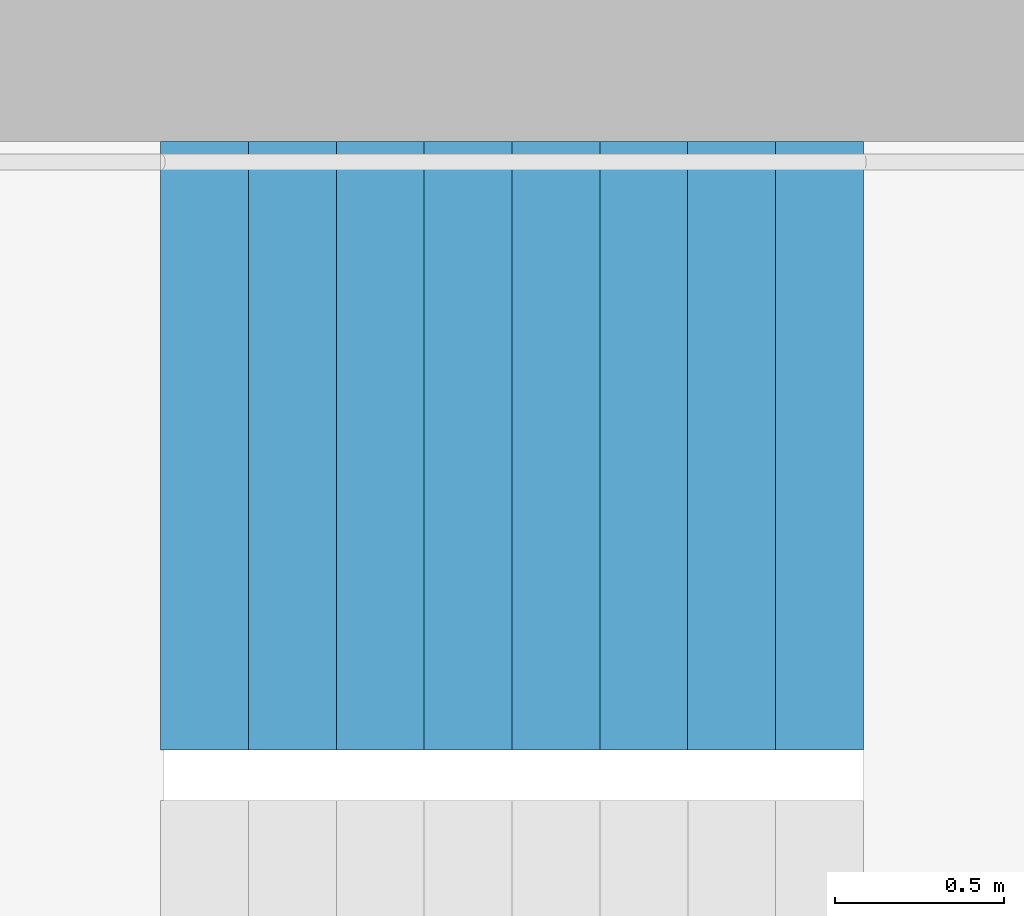
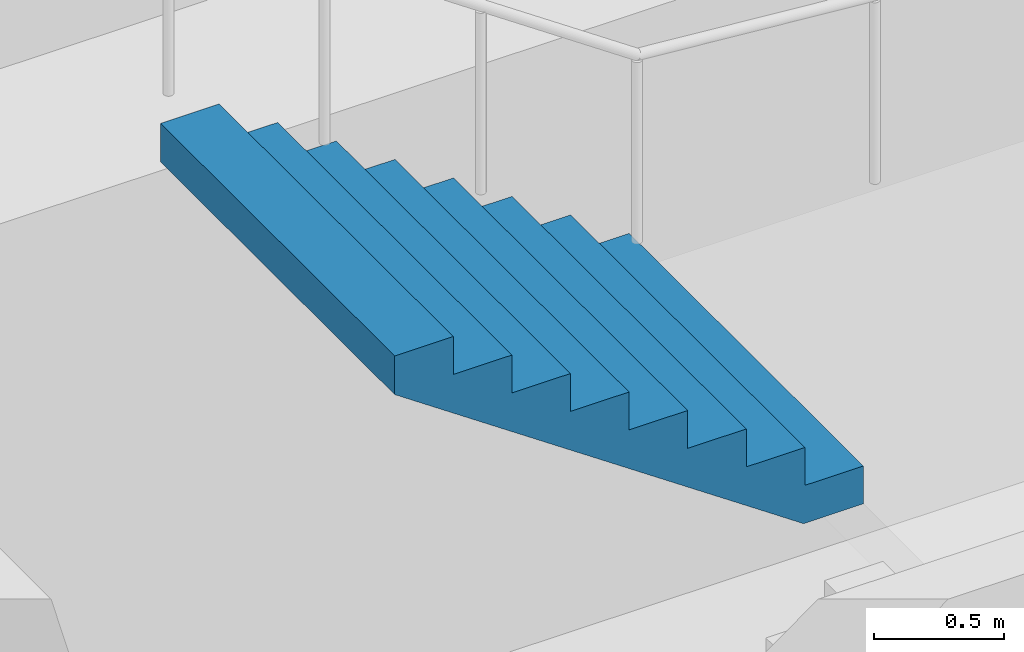
# One storey, part 23 of 34: 1 stair flight, 1 element without a shape of its own.
"""IFC4 building model written with IfcOpenShell, lengths in metres."""

from ifc_helpers import new_model, si_unit, direction, frame, origin, place, context, subcontext, project, spatial, triangles, material, type_object, element, aggregate, save


model = new_model("IFC4")

# Units and contexts
model_context = context("Model", 3, precision=1e-05, world=origin(), true_north=direction((0.0, 1.0)))
body_context = subcontext(model_context, "Body", "Model", "MODEL_VIEW")
ifc_project = project(units=[si_unit("LENGTHUNIT", "METRE"), si_unit("AREAUNIT", "SQUARE_METRE"), si_unit("VOLUMEUNIT", "CUBIC_METRE"), si_unit("PLANEANGLEUNIT", "RADIAN"), si_unit("MASSUNIT", "GRAM", prefix="KILO")], contexts=[model_context])

# Site, building, storey
site_placement = place(None, origin())
site = spatial("IfcSite", under=ifc_project, at=site_placement, CompositionType="ELEMENT")
building_placement = place(site_placement, origin())
building = spatial("IfcBuilding", under=site, at=building_placement, Name="Hakoniwa Tower and Hamabe Station Hall", CompositionType="ELEMENT")
storey_placement = place(building_placement, frame((0.0, 0.0, 107.39990234375)))
storey = spatial("IfcBuildingStorey", under=building, at=storey_placement, Name="L30", CompositionType="ELEMENT", Elevation=107.39990234375)

# Stair, stair flight
ifc_material_1 = material(Name="Concrete C40", Category="concrete")
stair_type = type_object("IfcStairType", Name="ESCAPE STAIR 1800", PredefinedType="HALF_TURN_STAIR", material=ifc_material_1)
stair_placement = place(storey_placement, origin())
stair = element("IfcStair", 1, at=stair_placement, inside=storey, type_object=stair_type, Name="Escape stair ST-1 L30", PredefinedType="HALF_TURN_STAIR")
ifc_material_2 = material(Name="Concrete C40", Category="concrete")
stair_flight_type = type_object("IfcStairFlightType", Name="STAIR FLIGHT 1800", PredefinedType="STRAIGHT", material=ifc_material_2)
stair_flight_placement = place(storey_placement, frame((-22.320068359375, 6.60009765625, 1.60009765625), z_axis=(0.0, 0.0, 1.0), x_axis=(-1.0, 0.0, 0.0)))
stair_flight = element("IfcStairFlight", 2, at=stair_flight_placement, type_object=stair_flight_type, Name="ST-1 flight 2", NumberOfRisers=9, NumberOfTreads=8, PredefinedType="STRAIGHT", RiserHeight=0.177777778, TreadLength=0.26, context=body_context, shape_type="Tessellation", body=[
    triangles([(0.0, 0.89990234375, 0.0), (0.260009765625, 0.89990234375, 0.0), (0.265625, 0.89990234375, 0.0), (0.52001953125, 0.89990234375, 0.174072265625), (0.780029296875, 0.89990234375, 0.351806640625), (1.0400390625, 0.89990234375, 0.529541015625), (1.300048828125, 0.89990234375, 0.707275390625), (1.56005859375, 0.89990234375, 0.885009765625), (1.820068359375, 0.89990234375, 1.062744140625), (2.080078125, 0.89990234375, 1.24072265625), (2.080078125, 0.89990234375, 1.422119140625), (1.820068359375, 0.89990234375, 1.422119140625), (1.820068359375, 0.89990234375, 1.244384765625), (1.56005859375, 0.89990234375, 1.244384765625), (1.56005859375, 0.89990234375, 1.066650390625), (1.300048828125, 0.89990234375, 1.066650390625), (1.300048828125, 0.89990234375, 0.888916015625), (1.0400390625, 0.89990234375, 0.888916015625), (1.0400390625, 0.89990234375, 0.711181640625), (0.780029296875, 0.89990234375, 0.711181640625), (0.780029296875, 0.89990234375, 0.533447265625), (0.52001953125, 0.89990234375, 0.533447265625), (0.52001953125, 0.89990234375, 0.35546875), (0.265625, 0.89990234375, 0.35546875), (0.260009765625, 0.89990234375, 0.35546875), (0.260009765625, 0.89990234375, 0.177734375), (0.0, 0.89990234375, 0.177734375), (0.0, 0.06005859375, 0.0), (0.260009765625, 0.06005859375, 0.0), (0.265625, 0.06005859375, 0.0), (0.52001953125, 0.06005859375, 0.174072265625), (0.780029296875, 0.06005859375, 0.351806640625), (1.0400390625, 0.06005859375, 0.529541015625), (1.300048828125, 0.06005859375, 0.707275390625), (1.56005859375, 0.06005859375, 0.885009765625), (1.820068359375, 0.06005859375, 1.062744140625), (2.080078125, 0.06005859375, 1.24072265625), (2.080078125, 0.06005859375, 1.422119140625), (1.820068359375, 0.06005859375, 1.422119140625), (1.820068359375, 0.06005859375, 1.244384765625), (1.56005859375, 0.06005859375, 1.244384765625), (1.56005859375, 0.06005859375, 1.066650390625), (1.300048828125, 0.06005859375, 1.066650390625), (1.300048828125, 0.06005859375, 0.888916015625), (1.0400390625, 0.06005859375, 0.888916015625), (1.0400390625, 0.06005859375, 0.711181640625), (0.780029296875, 0.06005859375, 0.711181640625), (0.780029296875, 0.06005859375, 0.533447265625), (0.52001953125, 0.06005859375, 0.533447265625), (0.52001953125, 0.06005859375, 0.35546875), (0.265625, 0.06005859375, 0.35546875), (0.260009765625, 0.06005859375, 0.35546875), (0.260009765625, 0.06005859375, 0.177734375), (0.0, 0.06005859375, 0.177734375), (0.0, 0.04296875, 0.0), (0.260009765625, 0.04296875, 0.0), (0.265625, 0.04296875, 0.0), (0.52001953125, 0.04296875, 0.174072265625), (0.780029296875, 0.04296875, 0.351806640625), (1.0400390625, 0.04296875, 0.529541015625), (1.300048828125, 0.04296875, 0.707275390625), (1.56005859375, 0.04296875, 0.885009765625), (1.820068359375, 0.04296875, 1.062744140625), (2.080078125, 0.04296875, 1.24072265625), (2.080078125, 0.04296875, 1.422119140625), (1.820068359375, 0.04296875, 1.422119140625), (1.820068359375, 0.04296875, 1.244384765625), (1.56005859375, 0.04296875, 1.244384765625), (1.56005859375, 0.04296875, 1.066650390625), (1.300048828125, 0.04296875, 1.066650390625), (1.300048828125, 0.04296875, 0.888916015625), (1.0400390625, 0.04296875, 0.888916015625), (1.0400390625, 0.04296875, 0.711181640625), (0.780029296875, 0.04296875, 0.711181640625), (0.780029296875, 0.04296875, 0.533447265625), (0.52001953125, 0.04296875, 0.533447265625), (0.52001953125, 0.04296875, 0.35546875), (0.265625, 0.04296875, 0.35546875), (0.260009765625, 0.04296875, 0.35546875), (0.260009765625, 0.04296875, 0.177734375), (0.0, 0.04296875, 0.177734375), (0.0, 0.025634765625, 0.0), (0.260009765625, 0.025634765625, 0.0), (0.265625, 0.025634765625, 0.0), (0.52001953125, 0.025634765625, 0.174072265625), (0.780029296875, 0.025634765625, 0.351806640625), (1.0400390625, 0.025634765625, 0.529541015625), (1.300048828125, 0.025634765625, 0.707275390625), (1.56005859375, 0.025634765625, 0.885009765625), (1.820068359375, 0.025634765625, 1.062744140625), (2.080078125, 0.025634765625, 1.24072265625), (2.080078125, 0.025634765625, 1.422119140625), (1.820068359375, 0.025634765625, 1.422119140625), (1.820068359375, 0.025634765625, 1.244384765625), (1.56005859375, 0.025634765625, 1.244384765625), (1.56005859375, 0.025634765625, 1.066650390625), (1.300048828125, 0.025634765625, 1.066650390625), (1.300048828125, 0.025634765625, 0.888916015625), (1.0400390625, 0.025634765625, 0.888916015625), (1.0400390625, 0.025634765625, 0.711181640625), (0.780029296875, 0.025634765625, 0.711181640625), (0.780029296875, 0.025634765625, 0.533447265625), (0.52001953125, 0.025634765625, 0.533447265625), (0.52001953125, 0.025634765625, 0.35546875), (0.265625, 0.025634765625, 0.35546875), (0.260009765625, 0.025634765625, 0.35546875), (0.260009765625, 0.025634765625, 0.177734375), (0.0, 0.025634765625, 0.177734375), (0.0, 0.008544921875, 0.0), (0.260009765625, 0.008544921875, 0.0), (0.265625, 0.008544921875, 0.0), (0.52001953125, 0.008544921875, 0.174072265625), (0.780029296875, 0.008544921875, 0.351806640625), (1.0400390625, 0.008544921875, 0.529541015625), (1.300048828125, 0.008544921875, 0.707275390625), (1.56005859375, 0.008544921875, 0.885009765625), (1.820068359375, 0.008544921875, 1.062744140625), (2.080078125, 0.008544921875, 1.24072265625), (2.080078125, 0.008544921875, 1.422119140625), (1.820068359375, 0.008544921875, 1.422119140625), (1.820068359375, 0.008544921875, 1.244384765625), (1.56005859375, 0.008544921875, 1.244384765625), (1.56005859375, 0.008544921875, 1.066650390625), (1.300048828125, 0.008544921875, 1.066650390625), (1.300048828125, 0.008544921875, 0.888916015625), (1.0400390625, 0.008544921875, 0.888916015625), (1.0400390625, 0.008544921875, 0.711181640625), (0.780029296875, 0.008544921875, 0.711181640625), (0.780029296875, 0.008544921875, 0.533447265625), (0.52001953125, 0.008544921875, 0.533447265625), (0.52001953125, 0.008544921875, 0.35546875), (0.265625, 0.008544921875, 0.35546875), (0.260009765625, 0.008544921875, 0.35546875), (0.260009765625, 0.008544921875, 0.177734375), (0.0, 0.008544921875, 0.177734375), (0.0, -0.008544921875, 0.0), (0.260009765625, -0.008544921875, 0.0), (0.265625, -0.008544921875, 0.0), (0.52001953125, -0.008544921875, 0.174072265625), (0.780029296875, -0.008544921875, 0.351806640625), (1.0400390625, -0.008544921875, 0.529541015625), (1.300048828125, -0.008544921875, 0.707275390625), (1.56005859375, -0.008544921875, 0.885009765625), (1.820068359375, -0.008544921875, 1.062744140625), (2.080078125, -0.008544921875, 1.24072265625), (2.080078125, -0.008544921875, 1.422119140625), (1.820068359375, -0.008544921875, 1.422119140625), (1.820068359375, -0.008544921875, 1.244384765625), (1.56005859375, -0.008544921875, 1.244384765625), (1.56005859375, -0.008544921875, 1.066650390625), (1.300048828125, -0.008544921875, 1.066650390625), (1.300048828125, -0.008544921875, 0.888916015625), (1.0400390625, -0.008544921875, 0.888916015625), (1.0400390625, -0.008544921875, 0.711181640625), (0.780029296875, -0.008544921875, 0.711181640625), (0.780029296875, -0.008544921875, 0.533447265625), (0.52001953125, -0.008544921875, 0.533447265625), (0.52001953125, -0.008544921875, 0.35546875), (0.265625, -0.008544921875, 0.35546875), (0.260009765625, -0.008544921875, 0.35546875), (0.260009765625, -0.008544921875, 0.177734375), (0.0, -0.008544921875, 0.177734375), (0.0, -0.025634765625, 0.0), (0.260009765625, -0.025634765625, 0.0), (0.265625, -0.025634765625, 0.0), (0.52001953125, -0.025634765625, 0.174072265625), (0.780029296875, -0.025634765625, 0.351806640625), (1.0400390625, -0.025634765625, 0.529541015625), (1.300048828125, -0.025634765625, 0.707275390625), (1.56005859375, -0.025634765625, 0.885009765625), (1.820068359375, -0.025634765625, 1.062744140625), (2.080078125, -0.025634765625, 1.24072265625), (2.080078125, -0.025634765625, 1.422119140625), (1.820068359375, -0.025634765625, 1.422119140625), (1.820068359375, -0.025634765625, 1.244384765625), (1.56005859375, -0.025634765625, 1.244384765625), (1.56005859375, -0.025634765625, 1.066650390625), (1.300048828125, -0.025634765625, 1.066650390625), (1.300048828125, -0.025634765625, 0.888916015625), (1.0400390625, -0.025634765625, 0.888916015625), (1.0400390625, -0.025634765625, 0.711181640625), (0.780029296875, -0.025634765625, 0.711181640625), (0.780029296875, -0.025634765625, 0.533447265625), (0.52001953125, -0.025634765625, 0.533447265625), (0.52001953125, -0.025634765625, 0.35546875), (0.265625, -0.025634765625, 0.35546875), (0.260009765625, -0.025634765625, 0.35546875), (0.260009765625, -0.025634765625, 0.177734375), (0.0, -0.025634765625, 0.177734375), (0.0, -0.04296875, 0.0), (0.260009765625, -0.04296875, 0.0), (0.265625, -0.04296875, 0.0), (0.52001953125, -0.04296875, 0.174072265625), (0.780029296875, -0.04296875, 0.351806640625), (1.0400390625, -0.04296875, 0.529541015625), (1.300048828125, -0.04296875, 0.707275390625), (1.56005859375, -0.04296875, 0.885009765625), (1.820068359375, -0.04296875, 1.062744140625), (2.080078125, -0.04296875, 1.24072265625), (2.080078125, -0.04296875, 1.422119140625), (1.820068359375, -0.04296875, 1.422119140625), (1.820068359375, -0.04296875, 1.244384765625), (1.56005859375, -0.04296875, 1.244384765625), (1.56005859375, -0.04296875, 1.066650390625), (1.300048828125, -0.04296875, 1.066650390625), (1.300048828125, -0.04296875, 0.888916015625), (1.0400390625, -0.04296875, 0.888916015625), (1.0400390625, -0.04296875, 0.711181640625), (0.780029296875, -0.04296875, 0.711181640625), (0.780029296875, -0.04296875, 0.533447265625), (0.52001953125, -0.04296875, 0.533447265625), (0.52001953125, -0.04296875, 0.35546875), (0.265625, -0.04296875, 0.35546875), (0.260009765625, -0.04296875, 0.35546875), (0.260009765625, -0.04296875, 0.177734375), (0.0, -0.04296875, 0.177734375), (0.0, -0.06005859375, 0.0), (0.260009765625, -0.06005859375, 0.0), (0.265625, -0.06005859375, 0.0), (0.52001953125, -0.06005859375, 0.174072265625), (0.780029296875, -0.06005859375, 0.351806640625), (1.0400390625, -0.06005859375, 0.529541015625), (1.300048828125, -0.06005859375, 0.707275390625), (1.56005859375, -0.06005859375, 0.885009765625), (1.820068359375, -0.06005859375, 1.062744140625), (2.080078125, -0.06005859375, 1.24072265625), (2.080078125, -0.06005859375, 1.422119140625), (1.820068359375, -0.06005859375, 1.422119140625), (1.820068359375, -0.06005859375, 1.244384765625), (1.56005859375, -0.06005859375, 1.244384765625), (1.56005859375, -0.06005859375, 1.066650390625), (1.300048828125, -0.06005859375, 1.066650390625), (1.300048828125, -0.06005859375, 0.888916015625), (1.0400390625, -0.06005859375, 0.888916015625), (1.0400390625, -0.06005859375, 0.711181640625), (0.780029296875, -0.06005859375, 0.711181640625), (0.780029296875, -0.06005859375, 0.533447265625), (0.52001953125, -0.06005859375, 0.533447265625), (0.52001953125, -0.06005859375, 0.35546875), (0.265625, -0.06005859375, 0.35546875), (0.260009765625, -0.06005859375, 0.35546875), (0.260009765625, -0.06005859375, 0.177734375), (0.0, -0.06005859375, 0.177734375), (0.0, -0.89990234375, 0.0), (0.260009765625, -0.89990234375, 0.0), (0.265625, -0.89990234375, 0.0), (0.52001953125, -0.89990234375, 0.174072265625), (0.780029296875, -0.89990234375, 0.351806640625), (1.0400390625, -0.89990234375, 0.529541015625), (1.300048828125, -0.89990234375, 0.707275390625), (1.56005859375, -0.89990234375, 0.885009765625), (1.820068359375, -0.89990234375, 1.062744140625), (2.080078125, -0.89990234375, 1.24072265625), (2.080078125, -0.89990234375, 1.422119140625), (1.820068359375, -0.89990234375, 1.422119140625), (1.820068359375, -0.89990234375, 1.244384765625), (1.56005859375, -0.89990234375, 1.244384765625), (1.56005859375, -0.89990234375, 1.066650390625), (1.300048828125, -0.89990234375, 1.066650390625), (1.300048828125, -0.89990234375, 0.888916015625), (1.0400390625, -0.89990234375, 0.888916015625), (1.0400390625, -0.89990234375, 0.711181640625), (0.780029296875, -0.89990234375, 0.711181640625), (0.780029296875, -0.89990234375, 0.533447265625), (0.52001953125, -0.89990234375, 0.533447265625), (0.52001953125, -0.89990234375, 0.35546875), (0.265625, -0.89990234375, 0.35546875), (0.260009765625, -0.89990234375, 0.35546875), (0.260009765625, -0.89990234375, 0.177734375), (0.0, -0.89990234375, 0.177734375)], [[2, 27, 26], [245, 269, 270], [2, 1, 27], [245, 270, 244], [3, 25, 24], [246, 267, 268], [3, 26, 25], [246, 268, 269], [3, 2, 26], [246, 269, 245], [4, 24, 23], [247, 266, 267], [4, 3, 24], [247, 267, 246], [5, 22, 21], [248, 264, 265], [5, 23, 22], [248, 265, 266], [5, 4, 23], [248, 266, 247], [6, 20, 19], [249, 262, 263], [6, 21, 20], [249, 263, 264], [6, 5, 21], [249, 264, 248], [7, 18, 17], [250, 260, 261], [7, 19, 18], [250, 261, 262], [7, 6, 19], [250, 262, 249], [8, 16, 15], [251, 258, 259], [8, 17, 16], [251, 259, 260], [8, 7, 17], [251, 260, 250], [9, 14, 13], [252, 256, 257], [9, 15, 14], [252, 257, 258], [9, 8, 15], [252, 258, 251], [10, 12, 11], [253, 254, 255], [10, 13, 12], [253, 255, 256], [10, 9, 13], [253, 256, 252], [1, 2, 29], [1, 29, 28], [28, 29, 56], [28, 56, 55], [55, 56, 83], [55, 83, 82], [82, 83, 110], [82, 110, 109], [109, 110, 137], [109, 137, 136], [136, 137, 164], [136, 164, 163], [163, 164, 191], [163, 191, 190], [190, 191, 218], [190, 218, 217], [217, 218, 245], [217, 245, 244], [2, 3, 30], [2, 30, 29], [29, 30, 57], [29, 57, 56], [56, 57, 84], [56, 84, 83], [83, 84, 111], [83, 111, 110], [110, 111, 138], [110, 138, 137], [137, 138, 165], [137, 165, 164], [164, 165, 192], [164, 192, 191], [191, 192, 219], [191, 219, 218], [218, 219, 246], [218, 246, 245], [3, 4, 31], [3, 31, 30], [30, 31, 58], [30, 58, 57], [57, 58, 85], [57, 85, 84], [84, 85, 112], [84, 112, 111], [111, 112, 139], [111, 139, 138], [138, 139, 166], [138, 166, 165], [165, 166, 193], [165, 193, 192], [192, 193, 220], [192, 220, 219], [219, 220, 247], [219, 247, 246], [4, 5, 32], [4, 32, 31], [31, 32, 59], [31, 59, 58], [58, 59, 86], [58, 86, 85], [85, 86, 113], [85, 113, 112], [112, 113, 140], [112, 140, 139], [139, 140, 167], [139, 167, 166], [166, 167, 194], [166, 194, 193], [193, 194, 221], [193, 221, 220], [220, 221, 248], [220, 248, 247], [5, 6, 33], [5, 33, 32], [32, 33, 60], [32, 60, 59], [59, 60, 87], [59, 87, 86], [86, 87, 114], [86, 114, 113], [113, 114, 141], [113, 141, 140], [140, 141, 168], [140, 168, 167], [167, 168, 195], [167, 195, 194], [194, 195, 222], [194, 222, 221], [221, 222, 249], [221, 249, 248], [6, 7, 34], [6, 34, 33], [33, 34, 61], [33, 61, 60], [60, 61, 88], [60, 88, 87], [87, 88, 115], [87, 115, 114], [114, 115, 142], [114, 142, 141], [141, 142, 169], [141, 169, 168], [168, 169, 196], [168, 196, 195], [195, 196, 223], [195, 223, 222], [222, 223, 250], [222, 250, 249], [7, 8, 35], [7, 35, 34], [34, 35, 62], [34, 62, 61], [61, 62, 89], [61, 89, 88], [88, 89, 116], [88, 116, 115], [115, 116, 143], [115, 143, 142], [142, 143, 170], [142, 170, 169], [169, 170, 197], [169, 197, 196], [196, 197, 224], [196, 224, 223], [223, 224, 251], [223, 251, 250], [8, 9, 36], [8, 36, 35], [35, 36, 63], [35, 63, 62], [62, 63, 90], [62, 90, 89], [89, 90, 117], [89, 117, 116], [116, 117, 144], [116, 144, 143], [143, 144, 171], [143, 171, 170], [170, 171, 198], [170, 198, 197], [197, 198, 225], [197, 225, 224], [224, 225, 252], [224, 252, 251], [9, 10, 37], [9, 37, 36], [36, 37, 64], [36, 64, 63], [63, 64, 91], [63, 91, 90], [90, 91, 118], [90, 118, 117], [117, 118, 145], [117, 145, 144], [144, 145, 172], [144, 172, 171], [171, 172, 199], [171, 199, 198], [198, 199, 226], [198, 226, 225], [225, 226, 253], [225, 253, 252], [10, 11, 38], [10, 38, 37], [37, 38, 65], [37, 65, 64], [64, 65, 92], [64, 92, 91], [91, 92, 119], [91, 119, 118], [118, 119, 146], [118, 146, 145], [145, 146, 173], [145, 173, 172], [172, 173, 200], [172, 200, 199], [199, 200, 227], [199, 227, 226], [226, 227, 254], [226, 254, 253], [11, 12, 39], [11, 39, 38], [38, 39, 66], [38, 66, 65], [65, 66, 93], [65, 93, 92], [92, 93, 120], [92, 120, 119], [119, 120, 147], [119, 147, 146], [146, 147, 174], [146, 174, 173], [173, 174, 201], [173, 201, 200], [200, 201, 228], [200, 228, 227], [227, 228, 255], [227, 255, 254], [12, 13, 40], [12, 40, 39], [39, 40, 67], [39, 67, 66], [66, 67, 94], [66, 94, 93], [93, 94, 121], [93, 121, 120], [120, 121, 148], [120, 148, 147], [147, 148, 175], [147, 175, 174], [174, 175, 202], [174, 202, 201], [201, 202, 229], [201, 229, 228], [228, 229, 256], [228, 256, 255], [13, 14, 41], [13, 41, 40], [40, 41, 68], [40, 68, 67], [67, 68, 95], [67, 95, 94], [94, 95, 122], [94, 122, 121], [121, 122, 149], [121, 149, 148], [148, 149, 176], [148, 176, 175], [175, 176, 203], [175, 203, 202], [202, 203, 230], [202, 230, 229], [229, 230, 257], [229, 257, 256], [14, 15, 42], [14, 42, 41], [41, 42, 69], [41, 69, 68], [68, 69, 96], [68, 96, 95], [95, 96, 123], [95, 123, 122], [122, 123, 150], [122, 150, 149], [149, 150, 177], [149, 177, 176], [176, 177, 204], [176, 204, 203], [203, 204, 231], [203, 231, 230], [230, 231, 258], [230, 258, 257], [15, 16, 43], [15, 43, 42], [42, 43, 70], [42, 70, 69], [69, 70, 97], [69, 97, 96], [96, 97, 124], [96, 124, 123], [123, 124, 151], [123, 151, 150], [150, 151, 178], [150, 178, 177], [177, 178, 205], [177, 205, 204], [204, 205, 232], [204, 232, 231], [231, 232, 259], [231, 259, 258], [16, 17, 44], [16, 44, 43], [43, 44, 71], [43, 71, 70], [70, 71, 98], [70, 98, 97], [97, 98, 125], [97, 125, 124], [124, 125, 152], [124, 152, 151], [151, 152, 179], [151, 179, 178], [178, 179, 206], [178, 206, 205], [205, 206, 233], [205, 233, 232], [232, 233, 260], [232, 260, 259], [17, 18, 45], [17, 45, 44], [44, 45, 72], [44, 72, 71], [71, 72, 99], [71, 99, 98], [98, 99, 126], [98, 126, 125], [125, 126, 153], [125, 153, 152], [152, 153, 180], [152, 180, 179], [179, 180, 207], [179, 207, 206], [206, 207, 234], [206, 234, 233], [233, 234, 261], [233, 261, 260], [18, 19, 46], [18, 46, 45], [45, 46, 73], [45, 73, 72], [72, 73, 100], [72, 100, 99], [99, 100, 127], [99, 127, 126], [126, 127, 154], [126, 154, 153], [153, 154, 181], [153, 181, 180], [180, 181, 208], [180, 208, 207], [207, 208, 235], [207, 235, 234], [234, 235, 262], [234, 262, 261], [19, 20, 47], [19, 47, 46], [46, 47, 74], [46, 74, 73], [73, 74, 101], [73, 101, 100], [100, 101, 128], [100, 128, 127], [127, 128, 155], [127, 155, 154], [154, 155, 182], [154, 182, 181], [181, 182, 209], [181, 209, 208], [208, 209, 236], [208, 236, 235], [235, 236, 263], [235, 263, 262], [20, 21, 48], [20, 48, 47], [47, 48, 75], [47, 75, 74], [74, 75, 102], [74, 102, 101], [101, 102, 129], [101, 129, 128], [128, 129, 156], [128, 156, 155], [155, 156, 183], [155, 183, 182], [182, 183, 210], [182, 210, 209], [209, 210, 237], [209, 237, 236], [236, 237, 264], [236, 264, 263], [21, 22, 49], [21, 49, 48], [48, 49, 76], [48, 76, 75], [75, 76, 103], [75, 103, 102], [102, 103, 130], [102, 130, 129], [129, 130, 157], [129, 157, 156], [156, 157, 184], [156, 184, 183], [183, 184, 211], [183, 211, 210], [210, 211, 238], [210, 238, 237], [237, 238, 265], [237, 265, 264], [22, 23, 50], [22, 50, 49], [49, 50, 77], [49, 77, 76], [76, 77, 104], [76, 104, 103], [103, 104, 131], [103, 131, 130], [130, 131, 158], [130, 158, 157], [157, 158, 185], [157, 185, 184], [184, 185, 212], [184, 212, 211], [211, 212, 239], [211, 239, 238], [238, 239, 266], [238, 266, 265], [23, 24, 51], [23, 51, 50], [50, 51, 78], [50, 78, 77], [77, 78, 105], [77, 105, 104], [104, 105, 132], [104, 132, 131], [131, 132, 159], [131, 159, 158], [158, 159, 186], [158, 186, 185], [185, 186, 213], [185, 213, 212], [212, 213, 240], [212, 240, 239], [239, 240, 267], [239, 267, 266], [24, 25, 52], [24, 52, 51], [51, 52, 79], [51, 79, 78], [78, 79, 106], [78, 106, 105], [105, 106, 133], [105, 133, 132], [132, 133, 160], [132, 160, 159], [159, 160, 187], [159, 187, 186], [186, 187, 214], [186, 214, 213], [213, 214, 241], [213, 241, 240], [240, 241, 268], [240, 268, 267], [25, 26, 53], [25, 53, 52], [52, 53, 80], [52, 80, 79], [79, 80, 107], [79, 107, 106], [106, 107, 134], [106, 134, 133], [133, 134, 161], [133, 161, 160], [160, 161, 188], [160, 188, 187], [187, 188, 215], [187, 215, 214], [214, 215, 242], [214, 242, 241], [241, 242, 269], [241, 269, 268], [26, 27, 54], [26, 54, 53], [53, 54, 81], [53, 81, 80], [80, 81, 108], [80, 108, 107], [107, 108, 135], [107, 135, 134], [134, 135, 162], [134, 162, 161], [161, 162, 189], [161, 189, 188], [188, 189, 216], [188, 216, 215], [215, 216, 243], [215, 243, 242], [242, 243, 270], [242, 270, 269], [27, 1, 28], [27, 28, 54], [54, 28, 55], [54, 55, 81], [81, 55, 82], [81, 82, 108], [108, 82, 109], [108, 109, 135], [135, 109, 136], [135, 136, 162], [162, 136, 163], [162, 163, 189], [189, 163, 190], [189, 190, 216], [216, 190, 217], [216, 217, 243], [243, 217, 244], [243, 244, 270]], closed=True),
])
aggregate(stair, [stair_flight])

save(model, "model.ifc")
